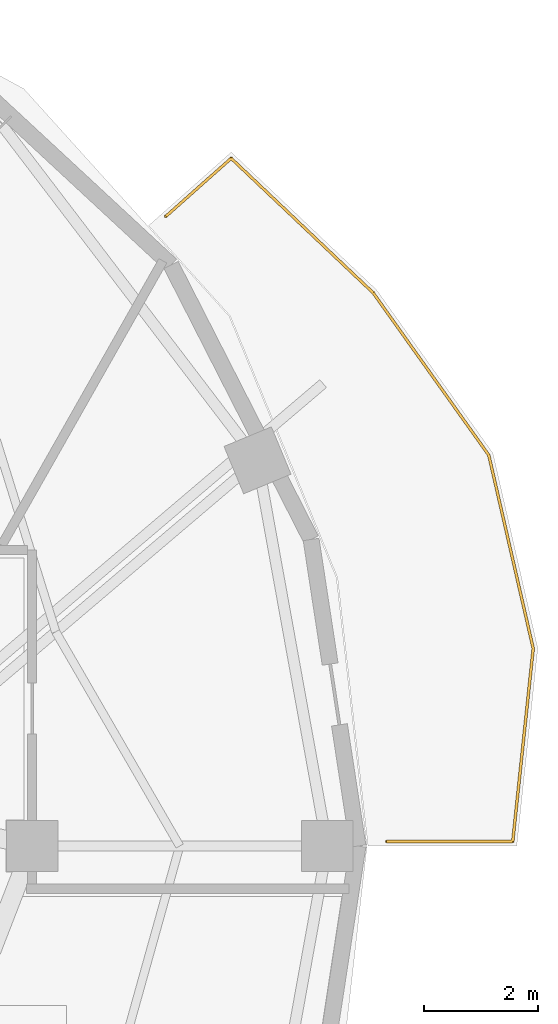
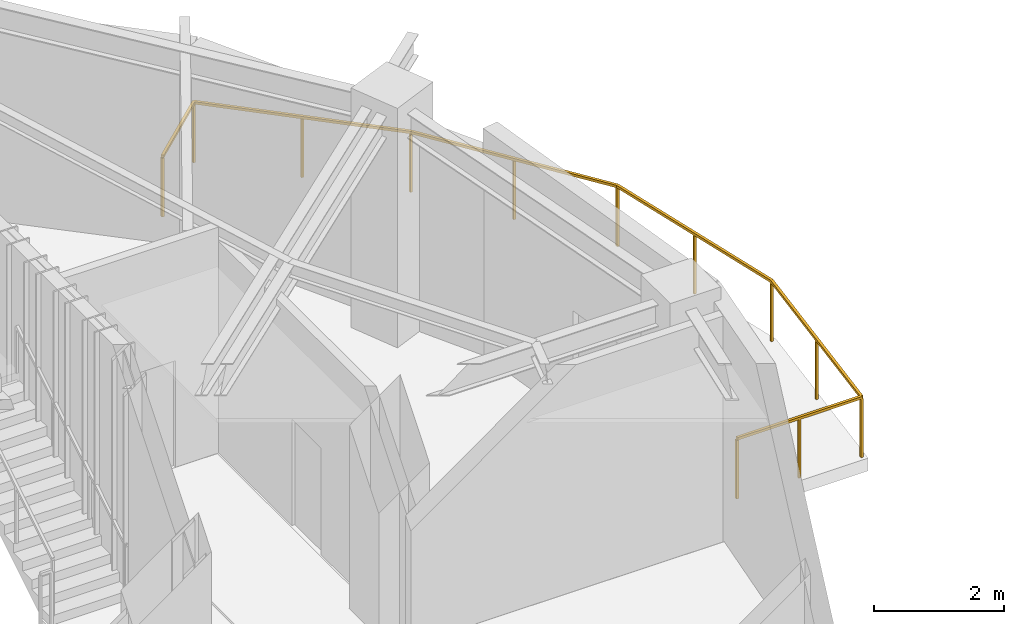
# One storey, part 9 of 9: 1 railing.
"""IFC4 building model written with IfcOpenShell, lengths in metres."""

from ifc_helpers import new_model, si_unit, direction, frame, origin, origin_2d, place, context, subcontext, project, spatial, rectangle, extrude, material, type_object, element, save


model = new_model("IFC4")

# Units and contexts
model_context = context("Model", 3, precision=1e-05, world=origin(), true_north=direction((0.0, 1.0)))
body_context = subcontext(model_context, "Body", "Model", "MODEL_VIEW")
ifc_project = project(units=[si_unit("LENGTHUNIT", "METRE"), si_unit("AREAUNIT", "SQUARE_METRE"), si_unit("VOLUMEUNIT", "CUBIC_METRE"), si_unit("PLANEANGLEUNIT", "RADIAN"), si_unit("MASSUNIT", "GRAM", prefix="KILO")], contexts=[model_context])

# Site, building, storey
site_placement = place(None, origin())
site = spatial("IfcSite", under=ifc_project, at=site_placement, CompositionType="ELEMENT")
building_placement = place(site_placement, origin())
building = spatial("IfcBuilding", under=site, at=building_placement, Name="Haldorwick Loom Tower", CompositionType="ELEMENT")
storey_placement = place(building_placement, frame((0.0, 0.0, 277.5)))
storey = spatial("IfcBuildingStorey", under=building, at=storey_placement, Name="L75", CompositionType="ELEMENT", Elevation=277.5)

# Railing
ifc_material = material(Name="Galvanized Steel CSA G40.21 350W", Category="steel")
railing_type = type_object("IfcRailingType", Name="ARC-RLG-BAL115", PredefinedType="BALUSTRADE", material=ifc_material)
railing_placement = place(storey_placement, frame((55.548095703125, 37.05810546875, 0.0)))
element("IfcRailing", 1, at=railing_placement, inside=storey, type_object=railing_type, Name="L75 Outdoor Terrace Guardrail SLB-L75-BAL_ENE-1", PredefinedType="BALUSTRADE", context=body_context, shape_type="SweptSolid", body=[
    extrude(rectangle(XDim=0.048095703125, YDim=0.048095703125, at=origin_2d()), frame((0.0, 0.0, 1.1259765625), z_axis=(0.747523528943, 0.664235330043, 0.0), x_axis=(-0.664235330043, 0.747523528943, 0.0)), (0.0, 0.0, 1.0), 1.532958984375),
    extrude(rectangle(XDim=0.048095703125, YDim=0.048095703125, at=origin_2d()), frame((1.14599609375, 1.018310546875, 1.1259765625), z_axis=(0.726042353341, -0.68764998448, 0.0), x_axis=(0.68764998448, 0.726042353341, 0.0)), (0.0, 0.0, 1.0), 3.433837890625),
    extrude(rectangle(XDim=0.048095703125, YDim=0.048095703125, at=origin_2d()), frame((3.63916015625, -1.343017578125, 1.1259765625), z_axis=(0.580155658638, -0.814505624137, 0.0), x_axis=(0.814505624137, 0.580155658638, 0.0)), (0.0, 0.0, 1.0), 3.50048828125),
    extrude(rectangle(XDim=0.048095703125, YDim=0.048095703125, at=origin_2d()), frame((5.669921875, -4.194091796875, 1.1259765625), z_axis=(0.224071140677, -0.974572790465, 0.0), x_axis=(0.974572790465, 0.224071140677, 0.0)), (0.0, 0.0, 1.0), 3.4833984375),
    extrude(rectangle(XDim=0.048095703125, YDim=0.048095703125, at=origin_2d()), frame((6.450439453125, -7.5888671875, 1.1259765625), z_axis=(-0.105516286403, -0.994417574917, 0.0), x_axis=(0.994417574917, -0.105516286403, 0.0)), (0.0, 0.0, 1.0), 3.408203125),
    extrude(rectangle(XDim=0.048095703125, YDim=0.048095703125, at=origin_2d()), frame((6.0908203125, -10.97802734375, 1.1259765625), z_axis=(-1.0, 0.0, 0.0), x_axis=(0.0, -1.0, 0.0)), (0.0, 0.0, 1.0), 2.21484375),
    extrude(rectangle(XDim=0.0419921875, YDim=0.0419921875, at=origin_2d()), origin(), (0.0, 0.0, 1.0), 1.101806640625),
    extrude(rectangle(XDim=0.0419921875, YDim=0.0419921875, at=origin_2d()), frame((1.14599609375, 1.018310546875, 0.0)), (0.0, 0.0, 1.0), 1.101806640625),
    extrude(rectangle(XDim=0.0419921875, YDim=0.0419921875, at=origin_2d()), frame((2.392578125, -0.162353515625, 0.0)), (0.0, 0.0, 1.0), 1.101806640625),
    extrude(rectangle(XDim=0.0419921875, YDim=0.0419921875, at=origin_2d()), frame((3.63916015625, -1.343017578125, 0.0)), (0.0, 0.0, 1.0), 1.101806640625),
    extrude(rectangle(XDim=0.0419921875, YDim=0.0419921875, at=origin_2d()), frame((4.654541015625, -2.7685546875, 0.0)), (0.0, 0.0, 1.0), 1.101806640625),
    extrude(rectangle(XDim=0.0419921875, YDim=0.0419921875, at=origin_2d()), frame((5.669921875, -4.194091796875, 0.0)), (0.0, 0.0, 1.0), 1.101806640625),
    extrude(rectangle(XDim=0.0419921875, YDim=0.0419921875, at=origin_2d()), frame((6.06005859375, -5.8916015625, 0.0)), (0.0, 0.0, 1.0), 1.101806640625),
    extrude(rectangle(XDim=0.0419921875, YDim=0.0419921875, at=origin_2d()), frame((6.450439453125, -7.5888671875, 0.0)), (0.0, 0.0, 1.0), 1.101806640625),
    extrude(rectangle(XDim=0.0419921875, YDim=0.0419921875, at=origin_2d()), frame((6.2705078125, -9.283447265625, 0.0)), (0.0, 0.0, 1.0), 1.101806640625),
    extrude(rectangle(XDim=0.0419921875, YDim=0.0419921875, at=origin_2d()), frame((6.0908203125, -10.97802734375, 0.0)), (0.0, 0.0, 1.0), 1.101806640625),
    extrude(rectangle(XDim=0.0419921875, YDim=0.0419921875, at=origin_2d()), frame((4.9833984375, -10.97802734375, 0.0)), (0.0, 0.0, 1.0), 1.101806640625),
    extrude(rectangle(XDim=0.0419921875, YDim=0.0419921875, at=origin_2d()), frame((3.8759765625, -10.97802734375, 0.0)), (0.0, 0.0, 1.0), 1.101806640625),
])

save(model, "model.ifc")
